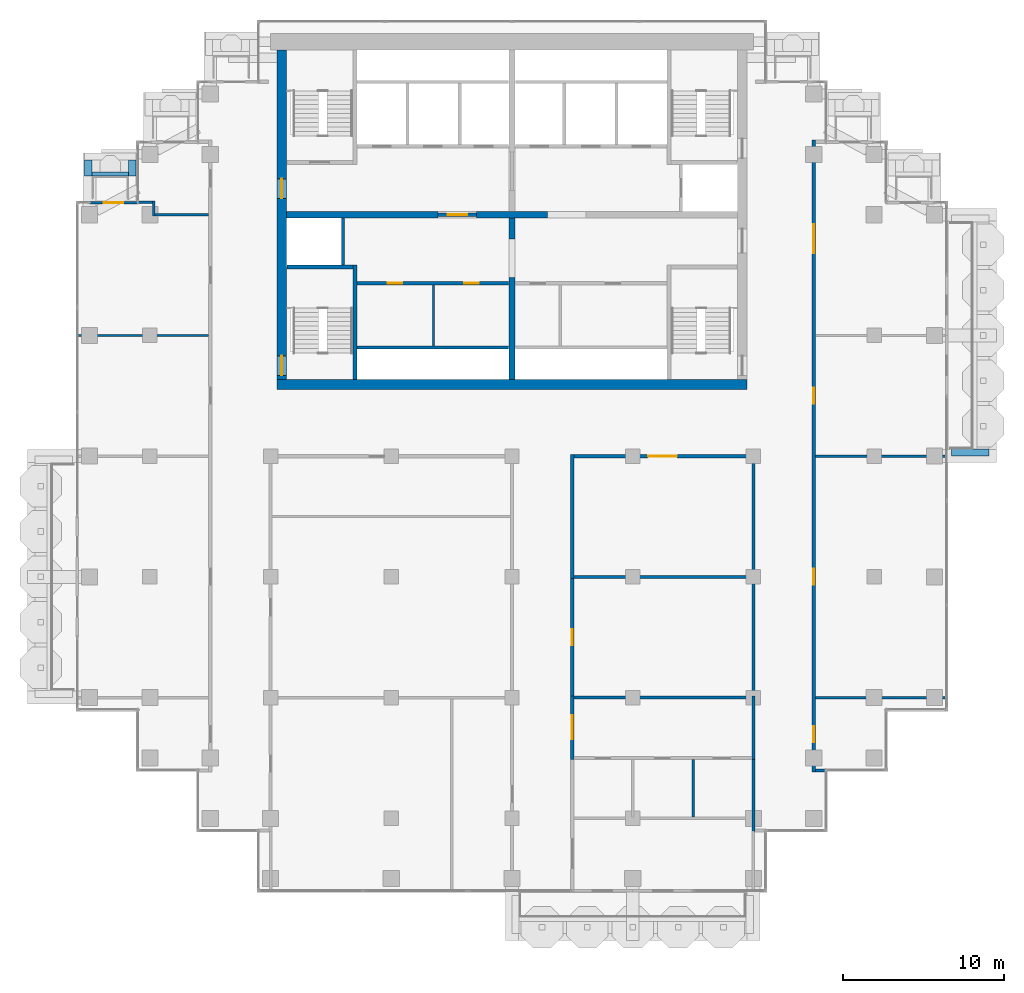
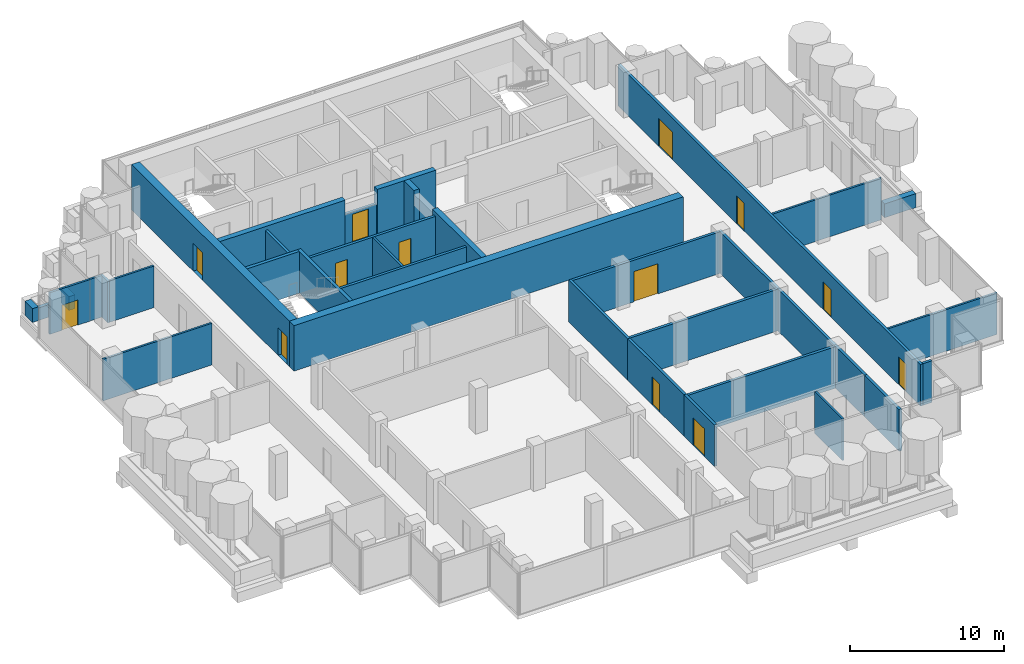
# One storey, part 12 of 18: 37 walls, 13 doors, 13 openings.
"""IFC4 building model written with IfcOpenShell, lengths in metres."""

import ifcopenshell
import ifcopenshell.guid

model = None  # the IFC model being written
_history = None  # IfcOwnerHistory: only IFC2X3 demands one
_inside = {}  # id of a spatial element -> (the spatial element, [elements in it])
_under = {}  # id of a project, library or spatial element -> (it, [spatial elements below it])
_declared = {}  # id of a project -> (the project, [libraries it declares])
_typed = {}  # id of a type object -> (the type object, [elements of that type])
_made_of = {}  # id of a material, layer set ... -> (it, [elements and type objects made of it])


def new_model(schema):
    """Start an empty IFC model of exactly this schema.

    Asked for "IFC4X3", IfcOpenShell would pick the latest addendum, in which some entities
    have other attributes; the version numbers below select the first issue.
    IFC2X3 requires an IfcOwnerHistory on every rooted entity: one is made here for all.
    """
    global model, _history
    if schema == "IFC4X3":
        model = ifcopenshell.file(schema_version=(4, 3, 0, 0))
    else:
        model = ifcopenshell.file(schema=schema)
    _inside.clear()
    _under.clear()
    _declared.clear()
    _typed.clear()
    _made_of.clear()
    _history = None
    if model.schema == "IFC2X3":
        org = make("IfcOrganization", Name="unknown")
        user = make(
            "IfcPersonAndOrganization",
            ThePerson=make("IfcPerson", FamilyName="unknown"),
            TheOrganization=org,
        )
        app = make(
            "IfcApplication",
            ApplicationDeveloper=org,
            Version="unknown",
            ApplicationFullName="unknown",
            ApplicationIdentifier="unknown",
        )
        _history = make(
            "IfcOwnerHistory",
            OwningUser=user,
            OwningApplication=app,
            ChangeAction="ADDED",
            CreationDate=0,
        )
    return model


def make(cls, **values):
    """One entity of the class cls with the attributes given. An attribute that is None is left unset."""
    return model.create_entity(
        cls, **{name: value for name, value in values.items() if value is not None}
    )


def rooted(cls, **values):
    """An entity with a GlobalId (a new one), such as an element, a storey or a relation."""
    return make(cls, GlobalId=ifcopenshell.guid.new(), OwnerHistory=_history, **values)


def si_unit(unit_type, name, prefix=None):
    """IfcSIUnit, for example si_unit("LENGTHUNIT", "METRE", prefix="MILLI")."""
    return make("IfcSIUnit", UnitType=unit_type, Prefix=prefix, Name=name)


def assignment(units):
    """IfcUnitAssignment: the units of a project."""
    return None if units is None else make("IfcUnitAssignment", Units=units)


def point(xyz):
    """IfcCartesianPoint."""
    return None if xyz is None else make("IfcCartesianPoint", Coordinates=xyz)


def direction(xyz):
    """IfcDirection."""
    return None if xyz is None else make("IfcDirection", DirectionRatios=xyz)


def frame(location, z_axis=None, x_axis=None):
    """IfcAxis2Placement3D, a coordinate frame: its origin and axes. An axis left out is left unset."""
    return make(
        "IfcAxis2Placement3D",
        Location=point(location),
        Axis=direction(z_axis),
        RefDirection=direction(x_axis),
    )


def frame_2d(location, x_axis=None):
    """IfcAxis2Placement2D, a coordinate frame in the plane: its origin and x axis."""
    return make(
        "IfcAxis2Placement2D", Location=point(location), RefDirection=direction(x_axis)
    )


def origin():
    """The frame at (0, 0, 0) with its axes left unset."""
    return frame((0.0, 0.0, 0.0))


def place(relative_to, where):
    """IfcLocalPlacement: puts the frame where relative to a parent placement (None: the world)."""
    return make(
        "IfcLocalPlacement", PlacementRelTo=relative_to, RelativePlacement=where
    )


def context(
    kind, dimensions, precision=None, world=None, true_north=None, identifier=None
):
    """IfcGeometricRepresentationContext, for example the 3D "Model" context."""
    return make(
        "IfcGeometricRepresentationContext",
        ContextIdentifier=identifier,
        ContextType=kind,
        CoordinateSpaceDimension=dimensions,
        Precision=precision,
        WorldCoordinateSystem=world,
        TrueNorth=true_north,
    )


def subcontext(parent, identifier, kind, view, scale=None):
    """IfcGeometricRepresentationSubContext, for example "Body" below "Model"."""
    return make(
        "IfcGeometricRepresentationSubContext",
        ContextIdentifier=identifier,
        ContextType=kind,
        ParentContext=parent,
        TargetScale=scale,
        TargetView=view,
    )


def project(units=None, contexts=None):
    """IfcProject with its units and contexts."""
    return rooted(
        "IfcProject",
        Name="project",
        RepresentationContexts=contexts,
        UnitsInContext=assignment(units),
    )


def spatial(cls, under=None, at=None, **own):
    """A site, building, storey or space (cls), placed at a placement, below another one or the project."""
    s = rooted(cls, ObjectPlacement=at, **own)
    if under is not None:
        _under.setdefault(under.id(), (under, []))[1].append(s)
    return s


def profile(cls, at=None, kind="AREA", **sizes):
    """A parametric profile (cls). Its sizes go by their IFC names, for example OverallWidth=200.0."""
    return make(cls, ProfileType=kind, Position=at, **sizes)


def rectangle(**sizes):
    """IfcRectangleProfileDef."""
    return profile("IfcRectangleProfileDef", **sizes)


def extrude(swept, where, along, depth):
    """IfcExtrudedAreaSolid: the profile swept, set in the frame where, extruded along a direction by depth."""
    return make(
        "IfcExtrudedAreaSolid",
        SweptArea=swept,
        Position=where,
        ExtrudedDirection=direction(along),
        Depth=depth,
    )


def shape(context_of_items, identifier, shape_type, items):
    """IfcShapeRepresentation: the items that make up one representation, for example the "Body"."""
    return make(
        "IfcShapeRepresentation",
        ContextOfItems=context_of_items,
        RepresentationIdentifier=identifier,
        RepresentationType=shape_type,
        Items=items,
    )


def material(Name=None, Category=None):
    """IfcMaterial."""
    return make("IfcMaterial", Name=Name, Category=Category)


def layer(
    of_material, thickness, ventilated=None, Name=None, Category=None, Priority=None
):
    """IfcMaterialLayer: one layer of a wall or slab, of a material (None: an air gap)."""
    return make(
        "IfcMaterialLayer",
        Material=of_material,
        LayerThickness=thickness,
        IsVentilated=ventilated,
        Name=Name,
        Category=Category,
        Priority=Priority,
    )


def layer_set(layers, Name=None):
    """IfcMaterialLayerSet."""
    return make("IfcMaterialLayerSet", MaterialLayers=layers, LayerSetName=Name)


def made_of(thing, what):
    """Note that an element or type object is made of a material, layer set ...; save() writes the relation."""
    if what is not None:
        _made_of.setdefault(what.id(), (what, []))[1].append(thing)
    return thing


def type_object(cls, material=None, **own):
    """A type object (cls), such as IfcWallType, which elements share."""
    return made_of(rooted(cls, **own), material)


def element(
    cls,
    number,
    at=None,
    inside=None,
    cuts=None,
    type_object=None,
    material=None,
    context=None,
    identifier="Body",
    shape_type=None,
    held_by="IfcProductDefinitionShape",
    body=None,
    shapes=None,
    **own,
):
    """One element of the class cls, such as IfcWall. Its Tag is "e" and its number.

    at: its placement. inside: the storey or other place that contains it. cuts: it is an
    opening in that element (IfcRelVoidsElement). A single representation is given by context,
    identifier, shape_type and body (its items); several are given by shapes. held_by: the class
    of the entity that holds the representations. save() writes the other relations.
    """
    e = rooted(cls, Tag="e%d" % number, ObjectPlacement=at, **own)
    if body is not None:
        shapes = [shape(context, identifier, shape_type, body)]
    if shapes is not None:
        e.Representation = make(held_by, Representations=shapes)
    if inside is not None:
        _inside.setdefault(inside.id(), (inside, []))[1].append(e)
    if cuts is not None:
        rooted(
            "IfcRelVoidsElement", RelatingBuildingElement=cuts, RelatedOpeningElement=e
        )
    if type_object is not None:
        _typed.setdefault(type_object.id(), (type_object, []))[1].append(e)
    return made_of(e, material)


def fill(opening, filler):
    """IfcRelFillsElement: the door or window that sits in an opening."""
    return rooted(
        "IfcRelFillsElement",
        RelatingOpeningElement=opening,
        RelatedBuildingElement=filler,
    )


def aggregate(whole, parts):
    """IfcRelAggregates: a whole, such as a stair, and the parts it consists of."""
    return rooted("IfcRelAggregates", RelatingObject=whole, RelatedObjects=parts)


def save(model, path):
    """Write the relations noted so far, then the file.

    IfcRelAggregates (storeys below a building ...), IfcRelContainedInSpatialStructure (elements
    in a storey), IfcRelDefinesByType, IfcRelAssociatesMaterial and IfcRelDeclares: one each for
    every whole, place, type object, material and project.
    """
    for whole, parts in _under.values():
        aggregate(whole, parts)
    for where, things in _inside.values():
        rooted(
            "IfcRelContainedInSpatialStructure",
            RelatedElements=things,
            RelatingStructure=where,
        )
    for kind, things in _typed.values():
        rooted("IfcRelDefinesByType", RelatedObjects=things, RelatingType=kind)
    for what, things in _made_of.values():
        rooted("IfcRelAssociatesMaterial", RelatedObjects=things, RelatingMaterial=what)
    for by, libraries in _declared.values():
        rooted("IfcRelDeclares", RelatingContext=by, RelatedDefinitions=libraries)
    model.write(path)


model = new_model("IFC4")

# Units and contexts
model_context = context("Model", 3, precision=1e-05, world=origin(), true_north=direction((0.0, 1.0)))
body_context = subcontext(model_context, "Body", "Model", "MODEL_VIEW")
ifc_project = project(units=[si_unit("LENGTHUNIT", "METRE"), si_unit("AREAUNIT", "SQUARE_METRE"), si_unit("VOLUMEUNIT", "CUBIC_METRE"), si_unit("PLANEANGLEUNIT", "RADIAN"), si_unit("MASSUNIT", "GRAM", prefix="KILO")], contexts=[model_context])

# Site, building, storey
site_placement = place(None, origin())
site = spatial("IfcSite", under=ifc_project, at=site_placement, CompositionType="ELEMENT")
building_placement = place(site_placement, origin())
building = spatial("IfcBuilding", under=site, at=building_placement, Name="Pilkhan Gate Tower", CompositionType="ELEMENT")
storey_placement = place(building_placement, frame((0.0, 0.0, 195.89990234375)))
storey = spatial("IfcBuildingStorey", under=building, at=storey_placement, Name="L50", CompositionType="ELEMENT", Elevation=195.89990234375)

# Walls
ifc_material_1 = material(Name="Concrete C40/50", Category="concrete")
ifc_layer_1 = layer(ifc_material_1, 0.25)
ifc_layer_set_1 = layer_set([ifc_layer_1], Name="Balcony planter BP250")
wall_type_1 = type_object("IfcWallType", Name="Balcony planter BP250", PredefinedType="USERDEFINED", material=ifc_layer_set_1)
wall_1_placement = place(storey_placement, frame((48.89990234375, 85.02490234375, 0.0), z_axis=(0.0, 0.0, 1.0), x_axis=(1.0, 0.0, 0.0)))
element("IfcWall", 1, at=wall_1_placement, inside=storey, type_object=wall_type_1, Name="Balcony planter L50 N", ObjectType="BALCONY PLANTER", PredefinedType="USERDEFINED", context=body_context, shape_type="SweptSolid", body=[
    extrude(rectangle(XDim=2.280029296875, YDim=0.25, at=frame_2d((1.14013671875, 0.0))), origin(), (0.0, 0.0, 1.0), 1.0),
])
ifc_material_2 = material(Name="Board-marked Concrete C40/50", Category="concrete")
ifc_layer_2 = layer(ifc_material_2, 0.449951171875)
ifc_layer_set_2 = layer_set([ifc_layer_2], Name="Balcony planter lip BL450")
wall_type_2 = type_object("IfcWallType", Name="Balcony planter lip BL450", PredefinedType="USERDEFINED", material=ifc_layer_set_2)
wall_2_placement = place(storey_placement, frame((102.300048828125, 67.72509765625, 0.0), z_axis=(0.0, 0.0, 1.0), x_axis=(1.0, 0.0, 0.0)))
element("IfcWall", 2, at=wall_2_placement, inside=storey, type_object=wall_type_2, Name="Balcony planter L50 E", ObjectType="BALCONY PLANTER", PredefinedType="USERDEFINED", context=body_context, shape_type="SweptSolid", body=[
    extrude(rectangle(XDim=2.349853515625, YDim=0.449951171875, at=frame_2d((1.1748046875, 0.0))), origin(), (0.0, 0.0, 1.0), 1.10009765625),
])
for number, where, z_axis, x_axis, name in (
    (3, (48.675048828125, 84.89990234375, 0.0), (0.0, 0.0, 1.0), (0.0, 1.0, 0.0), "Balcony planter L50 N"),
    (4, (51.405029296875, 84.89990234375, 0.0), (0.0, 0.0, 1.0), (0.0, 1.0, 0.0), "Balcony planter L50 N"),
):
    element("IfcWall", number, at=place(storey_placement, frame(where, z_axis=z_axis, x_axis=x_axis)), inside=storey, type_object=wall_type_2, Name=name, ObjectType="BALCONY PLANTER", PredefinedType="USERDEFINED", context=body_context, shape_type="SweptSolid", body=[
        extrude(rectangle(XDim=1.0, YDim=0.449951171875, at=frame_2d((0.5, 0.0))), origin(), (0.0, 0.0, 1.0), 1.10009765625),
    ])
ifc_material_3 = material(Name="Concrete C50/60", Category="concrete")
ifc_layer_3 = layer(ifc_material_3, 0.60009765625)
ifc_layer_set_3 = layer_set([ifc_layer_3], Name="Core wall CW600 C50/60")
wall_type_3 = type_object("IfcWallType", Name="Core wall CW600 C50/60", PredefinedType="SHEAR", material=ifc_layer_set_3)
wall_3_placement = place(storey_placement, frame((60.39990234375, 71.949951171875, 0.0), z_axis=(0.0, 0.0, 1.0), x_axis=(1.0, 0.0, 0.0)))
element("IfcWall", 5, at=wall_3_placement, inside=storey, type_object=wall_type_3, Name="Core wall S L50", PredefinedType="SHEAR", context=body_context, shape_type="SweptSolid", body=[
    extrude(rectangle(XDim=29.2001953125, YDim=0.60009765625, at=frame_2d((14.60009765625, 0.0))), origin(), (0.0, 0.0, 1.0), 3.60009765625),
])

# Wall, openings, doors
wall_4_placement = place(storey_placement, frame((60.699951171875, 92.75, 0.0), z_axis=(0.0, 0.0, 1.0), x_axis=(0.0, -1.0, 0.0)))
wall_4 = element("IfcWall", 6, at=wall_4_placement, inside=storey, type_object=wall_type_3, Name="Core wall W L50", PredefinedType="SHEAR", context=body_context, shape_type="SweptSolid", body=[
    extrude(rectangle(XDim=20.5, YDim=0.60009765625, at=frame_2d((10.25, 0.0))), origin(), (0.0, 0.0, 1.0), 3.60009765625),
])
opening_1_placement = place(wall_4_placement, frame((19.02490234375, 0.0, 0.0)))
opening_1 = element("IfcOpeningElement", 7, at=opening_1_placement, cuts=wall_4, Name="Opening L50-04", PredefinedType="OPENING", context=body_context, shape_type="SweptSolid", body=[
    extrude(rectangle(XDim=1.199951171875, YDim=2.199951171875, at=frame_2d((0.60009765625, 1.10009765625))), frame((0.0, 0.31005859375, 0.0), z_axis=(0.0, -1.0, 0.0), x_axis=(1.0, 0.0, 0.0)), (0.0, 0.0, 1.0), 0.6201171875),
])
opening_2_placement = place(wall_4_placement, frame((8.02490234375, 0.0, 0.0)))
opening_2 = element("IfcOpeningElement", 8, at=opening_2_placement, cuts=wall_4, Name="Opening L50-07", PredefinedType="OPENING", context=body_context, shape_type="SweptSolid", body=[
    extrude(rectangle(XDim=1.199951171875, YDim=2.199951171875, at=frame_2d((0.60009765625, 1.10009765625))), frame((0.0, 0.31005859375, 0.0), z_axis=(0.0, -1.0, 0.0), x_axis=(1.0, 0.0, 0.0)), (0.0, 0.0, 1.0), 0.6201171875),
])
ifc_material_4 = material(Name="Steel door, 120 minute fire resisting, self-closing", Category="steel")
door_type_1 = type_object("IfcDoorType", Name="Firefighting lobby door D10 1200x2200", OperationType="SINGLE_SWING_LEFT", PredefinedType="DOOR", material=ifc_material_4)
door_1_placement = place(opening_2_placement, origin())
door_1 = element("IfcDoor", 9, at=door_1_placement, inside=storey, type_object=door_type_1, Name="Core door", OperationType="SINGLE_SWING_LEFT", OverallHeight=2.199951171875, OverallWidth=1.199951171875, PredefinedType="DOOR", context=body_context, shape_type="SweptSolid", body=[
    extrude(rectangle(XDim=1.199951171875, YDim=2.199951171875, at=frame_2d((0.60009765625, 1.10009765625))), frame((0.0, 0.02490234375, 0.0), z_axis=(0.0, -1.0, 0.0), x_axis=(1.0, 0.0, 0.0)), (0.0, 0.0, 1.0), 0.050048828125),
])
fill(opening_2, door_1)
ifc_material_5 = material(Name="Steel door, 120 minute fire resisting, panic bar", Category="steel")
door_type_2 = type_object("IfcDoorType", Name="Stair door D11 1200x2200", OperationType="SINGLE_SWING_LEFT", PredefinedType="DOOR", material=ifc_material_5)
door_2_placement = place(opening_1_placement, origin())
door_2 = element("IfcDoor", 10, at=door_2_placement, inside=storey, type_object=door_type_2, Name="Stair ST2 door", OperationType="SINGLE_SWING_RIGHT", OverallHeight=2.199951171875, OverallWidth=1.199951171875, PredefinedType="DOOR", context=body_context, shape_type="SweptSolid", body=[
    extrude(rectangle(XDim=1.199951171875, YDim=2.199951171875, at=frame_2d((0.60009765625, 1.10009765625))), frame((0.0, 0.02490234375, 0.0), z_axis=(0.0, -1.0, 0.0), x_axis=(1.0, 0.0, 0.0)), (0.0, 0.0, 1.0), 0.050048828125),
])
fill(opening_1, door_2)

# Wall
ifc_material_6 = material(Name="Dense blockwork", Category="masonry")
ifc_layer_4 = layer(ifc_material_6, 0.199951171875)
ifc_layer_set_4 = layer_set([ifc_layer_4], Name="Corridor wall FW200")
wall_type_4 = type_object("IfcWallType", Name="Corridor wall FW200", PredefinedType="PARTITIONING", material=ifc_layer_set_4)
wall_5_placement = place(storey_placement, frame((93.85009765625, 47.969970703125, 0.0), z_axis=(0.0, 0.0, 1.0), x_axis=(1.0, 0.0, 0.0)))
element("IfcWall", 11, at=wall_5_placement, inside=storey, type_object=wall_type_4, Name="Partition L50", PredefinedType="PARTITIONING", context=body_context, shape_type="SweptSolid", body=[
    extrude(rectangle(XDim=0.664794921875, YDim=0.199951171875, at=frame_2d((0.33251953125, 0.0))), origin(), (0.0, 0.0, 1.0), 3.300048828125),
])

# Wall, opening, door
wall_6_placement = place(storey_placement, frame((78.75, 52.5, 0.0), z_axis=(0.0, 0.0, 1.0), x_axis=(0.0, 1.0, 0.0)))
wall_6 = element("IfcWall", 12, at=wall_6_placement, inside=storey, type_object=wall_type_4, Name="Partition L50", PredefinedType="PARTITIONING", context=body_context, shape_type="SweptSolid", body=[
    extrude(rectangle(XDim=7.5, YDim=0.199951171875, at=frame_2d((3.75, 0.0))), origin(), (0.0, 0.0, 1.0), 3.300048828125),
])
opening_3_placement = place(wall_6_placement, frame((3.25, 0.0, 0.0)))
opening_3 = element("IfcOpeningElement", 13, at=opening_3_placement, cuts=wall_6, Name="Opening L50-21", PredefinedType="OPENING", context=body_context, shape_type="SweptSolid", body=[
    extrude(rectangle(XDim=1.0, YDim=2.199951171875, at=frame_2d((0.5, 1.10009765625))), frame((0.0, 0.10986328125, 0.0), z_axis=(0.0, -1.0, 0.0), x_axis=(1.0, 0.0, 0.0)), (0.0, 0.0, 1.0), 0.219970703125),
])
ifc_material_7 = material(Name="Timber flush door, 30 minute fire resisting", Category="wood")
door_type_3 = type_object("IfcDoorType", Name="Room door D03 1000x2200", OperationType="SINGLE_SWING_LEFT", PredefinedType="DOOR", material=ifc_material_7)
door_3_placement = place(opening_3_placement, origin())
door_3 = element("IfcDoor", 14, at=door_3_placement, inside=storey, type_object=door_type_3, Name="Room door", OperationType="SINGLE_SWING_LEFT", OverallHeight=2.199951171875, OverallWidth=1.0, PredefinedType="DOOR", context=body_context, shape_type="SweptSolid", body=[
    extrude(rectangle(XDim=1.0, YDim=2.199951171875, at=frame_2d((0.5, 1.10009765625))), frame((0.0, 0.02490234375, 0.0), z_axis=(0.0, -1.0, 0.0), x_axis=(1.0, 0.0, 0.0)), (0.0, 0.0, 1.0), 0.050048828125),
])
fill(opening_3, door_3)

# Walls
wall_7_placement = place(storey_placement, frame((90.0, 44.135009765625, 0.0), z_axis=(0.0, 0.0, 1.0), x_axis=(0.0, 1.0, 0.0)))
element("IfcWall", 15, at=wall_7_placement, inside=storey, type_object=wall_type_4, Name="Partition L50", PredefinedType="PARTITIONING", context=body_context, shape_type="SweptSolid", body=[
    extrude(rectangle(XDim=4.614990234375, YDim=0.199951171875, at=frame_2d((2.3076171875, 0.0))), origin(), (0.0, 0.0, 1.0), 3.300048828125),
])
wall_8_placement = place(storey_placement, frame((90.0, 52.5, 0.0), z_axis=(0.0, 0.0, 1.0), x_axis=(0.0, 1.0, 0.0)))
element("IfcWall", 16, at=wall_8_placement, inside=storey, type_object=wall_type_4, Name="Partition L50", PredefinedType="PARTITIONING", context=body_context, shape_type="SweptSolid", body=[
    extrude(rectangle(XDim=7.5, YDim=0.199951171875, at=frame_2d((3.75, 0.0))), origin(), (0.0, 0.0, 1.0), 3.300048828125),
])

# Wall, openings, doors
wall_9_placement = place(storey_placement, frame((93.75, 47.8701171875, 0.0), z_axis=(0.0, 0.0, 1.0), x_axis=(0.0, 1.0, 0.0)))
wall_9 = element("IfcWall", 17, at=wall_9_placement, inside=storey, type_object=wall_type_4, Name="Partition L50", PredefinedType="PARTITIONING", context=body_context, shape_type="SweptSolid", body=[
    extrude(rectangle(XDim=39.259765625, YDim=0.199951171875, at=frame_2d((19.6298828125, 0.0))), origin(), (0.0, 0.0, 1.0), 3.300048828125),
])
opening_4_placement = place(wall_9_placement, frame((1.85009765625, 0.0, 0.0)))
opening_4 = element("IfcOpeningElement", 18, at=opening_4_placement, cuts=wall_9, Name="Opening L50-26", PredefinedType="OPENING", context=body_context, shape_type="SweptSolid", body=[
    extrude(rectangle(XDim=1.0, YDim=2.199951171875, at=frame_2d((0.5, 1.10009765625))), frame((0.0, 0.10986328125, 0.0), z_axis=(0.0, -1.0, 0.0), x_axis=(1.0, 0.0, 0.0)), (0.0, 0.0, 1.0), 0.219970703125),
])
opening_5_placement = place(wall_9_placement, frame((11.6298828125, 0.0, 0.0)))
opening_5 = element("IfcOpeningElement", 19, at=opening_5_placement, cuts=wall_9, Name="Opening L50-27", PredefinedType="OPENING", context=body_context, shape_type="SweptSolid", body=[
    extrude(rectangle(XDim=1.0, YDim=2.199951171875, at=frame_2d((0.5, 1.10009765625))), frame((0.0, 0.10986328125, 0.0), z_axis=(0.0, -1.0, 0.0), x_axis=(1.0, 0.0, 0.0)), (0.0, 0.0, 1.0), 0.219970703125),
])
opening_6_placement = place(wall_9_placement, frame((22.8798828125, 0.0, 0.0)))
opening_6 = element("IfcOpeningElement", 20, at=opening_6_placement, cuts=wall_9, Name="Opening L50-28", PredefinedType="OPENING", context=body_context, shape_type="SweptSolid", body=[
    extrude(rectangle(XDim=1.0, YDim=2.199951171875, at=frame_2d((0.5, 1.10009765625))), frame((0.0, 0.10986328125, 0.0), z_axis=(0.0, -1.0, 0.0), x_axis=(1.0, 0.0, 0.0)), (0.0, 0.0, 1.0), 0.219970703125),
])
opening_7_placement = place(wall_9_placement, frame((32.22998046875, 0.0, 0.0)))
opening_7 = element("IfcOpeningElement", 21, at=opening_7_placement, cuts=wall_9, Name="Opening L50-31", PredefinedType="OPENING", context=body_context, shape_type="SweptSolid", body=[
    extrude(rectangle(XDim=1.800048828125, YDim=2.199951171875, at=frame_2d((0.89990234375, 1.10009765625))), frame((0.0, 0.10986328125, 0.0), z_axis=(0.0, -1.0, 0.0), x_axis=(1.0, 0.0, 0.0)), (0.0, 0.0, 1.0), 0.219970703125),
])
ifc_material_8 = material(Name="Timber glazed double door, 30 minute fire resisting", Category="wood")
door_type_4 = type_object("IfcDoorType", Name="Double door D04 1800x2200", OperationType="DOUBLE_DOOR_SINGLE_SWING", PredefinedType="DOOR", material=ifc_material_8)
door_4_placement = place(opening_7_placement, origin())
door_4 = element("IfcDoor", 22, at=door_4_placement, inside=storey, type_object=door_type_4, Name="Double door", OperationType="DOUBLE_DOOR_SINGLE_SWING", OverallHeight=2.199951171875, OverallWidth=1.800048828125, PredefinedType="DOOR", context=body_context, shape_type="SweptSolid", body=[
    extrude(rectangle(XDim=1.800048828125, YDim=2.199951171875, at=frame_2d((0.89990234375, 1.10009765625))), frame((0.0, 0.02490234375, 0.0), z_axis=(0.0, -1.0, 0.0), x_axis=(1.0, 0.0, 0.0)), (0.0, 0.0, 1.0), 0.050048828125),
])
fill(opening_7, door_4)
door_5_placement = place(opening_4_placement, origin())
door_5 = element("IfcDoor", 23, at=door_5_placement, inside=storey, type_object=door_type_3, Name="Room door", OperationType="SINGLE_SWING_LEFT", OverallHeight=2.199951171875, OverallWidth=1.0, PredefinedType="DOOR", context=body_context, shape_type="SweptSolid", body=[
    extrude(rectangle(XDim=1.0, YDim=2.199951171875, at=frame_2d((0.5, 1.10009765625))), frame((0.0, 0.02490234375, 0.0), z_axis=(0.0, -1.0, 0.0), x_axis=(1.0, 0.0, 0.0)), (0.0, 0.0, 1.0), 0.050048828125),
])
fill(opening_4, door_5)
door_6_placement = place(opening_5_placement, origin())
door_6 = element("IfcDoor", 24, at=door_6_placement, inside=storey, type_object=door_type_3, Name="Room door", OperationType="SINGLE_SWING_LEFT", OverallHeight=2.199951171875, OverallWidth=1.0, PredefinedType="DOOR", context=body_context, shape_type="SweptSolid", body=[
    extrude(rectangle(XDim=1.0, YDim=2.199951171875, at=frame_2d((0.5, 1.10009765625))), frame((0.0, 0.02490234375, 0.0), z_axis=(0.0, -1.0, 0.0), x_axis=(1.0, 0.0, 0.0)), (0.0, 0.0, 1.0), 0.050048828125),
])
fill(opening_5, door_6)
door_7_placement = place(opening_6_placement, origin())
door_7 = element("IfcDoor", 25, at=door_7_placement, inside=storey, type_object=door_type_3, Name="Room door", OperationType="SINGLE_SWING_LEFT", OverallHeight=2.199951171875, OverallWidth=1.0, PredefinedType="DOOR", context=body_context, shape_type="SweptSolid", body=[
    extrude(rectangle(XDim=1.0, YDim=2.199951171875, at=frame_2d((0.5, 1.10009765625))), frame((0.0, 0.02490234375, 0.0), z_axis=(0.0, -1.0, 0.0), x_axis=(1.0, 0.0, 0.0)), (0.0, 0.0, 1.0), 0.050048828125),
])
fill(opening_6, door_7)

# Wall, opening, door
ifc_material_9 = material(Name="Pale anodised aluminium, clear laminated glazing", Category="aluminium")
ifc_layer_5 = layer(ifc_material_9, 0.14990234375)
ifc_layer_set_5 = layer_set([ifc_layer_5], Name="Facade infill wall IW150")
wall_type_5 = type_object("IfcWallType", Name="Facade infill wall IW150", PredefinedType="SOLIDWALL", material=ifc_layer_set_5)
wall_10_placement = place(storey_placement, frame((48.75, 83.25, 0.0), z_axis=(0.0, 0.0, 1.0), x_axis=(1.0, 0.0, 0.0)))
wall_10 = element("IfcWall", 26, at=wall_10_placement, inside=storey, type_object=wall_type_5, Name="Infill wall L50 N", PredefinedType="SOLIDWALL", context=body_context, shape_type="SweptSolid", body=[
    extrude(rectangle(XDim=3.0, YDim=0.14990234375, at=frame_2d((1.5, 0.0))), origin(), (0.0, 0.0, 1.0), 3.300048828125),
])
opening_8_placement = place(wall_10_placement, frame((0.89990234375, 0.0, 0.0)))
opening_8 = element("IfcOpeningElement", 27, at=opening_8_placement, cuts=wall_10, Name="Opening D1L", PredefinedType="OPENING", context=body_context, shape_type="SweptSolid", body=[
    extrude(rectangle(XDim=1.199951171875, YDim=2.0, at=frame_2d((0.60009765625, 1.0))), frame((0.0, 0.0849609375, 0.0), z_axis=(0.0, -1.0, 0.0), x_axis=(1.0, 0.0, 0.0)), (0.0, 0.0, 1.0), 0.169921875),
])
ifc_material_10 = material(Name="Pale anodised aluminium, clear glazing", Category="aluminium")
door_type_5 = type_object("IfcDoorType", Name="Balcony door D1L 1200x2000", OperationType="SINGLE_SWING_LEFT", PredefinedType="DOOR", material=ifc_material_10)
door_8_placement = place(opening_8_placement, origin())
door_8 = element("IfcDoor", 28, at=door_8_placement, inside=storey, type_object=door_type_5, Name="Balcony door L50", OperationType="SINGLE_SWING_LEFT", OverallHeight=2.0, OverallWidth=1.199951171875, PredefinedType="DOOR", context=body_context, shape_type="SweptSolid", body=[
    extrude(rectangle(XDim=1.199951171875, YDim=2.0, at=frame_2d((0.60009765625, 1.0))), frame((0.0, 0.02490234375, 0.0), z_axis=(0.0, -1.0, 0.0), x_axis=(1.0, 0.0, 0.0)), (0.0, 0.0, 1.0), 0.050048828125),
])
fill(opening_8, door_8)

# Walls
ifc_layer_6 = layer(ifc_material_6, 0.199951171875)
ifc_layer_set_6 = layer_set([ifc_layer_6], Name="Lobby wall LW200")
wall_type_6 = type_object("IfcWallType", Name="Lobby wall LW200", PredefinedType="PARTITIONING", material=ifc_layer_set_6)
for number, where, z_axis, x_axis, name in (
    (29, (78.85009765625, 52.5, 0.0), (0.0, 0.0, 1.0), (1.0, 0.0, 0.0), "Partition L50"),
    (30, (78.85009765625, 60.0, 0.0), (0.0, 0.0, 1.0), (1.0, 0.0, 0.0), "Partition L50"),
):
    element("IfcWall", number, at=place(storey_placement, frame(where, z_axis=z_axis, x_axis=x_axis)), inside=storey, type_object=wall_type_6, Name=name, PredefinedType="PARTITIONING", context=body_context, shape_type="SweptSolid", body=[
        extrude(rectangle(XDim=11.0498046875, YDim=0.199951171875, at=frame_2d((5.52490234375, 0.0))), origin(), (0.0, 0.0, 1.0), 3.300048828125),
    ])

# Wall, opening, door
wall_11_placement = place(storey_placement, frame((78.85009765625, 67.5, 0.0), z_axis=(0.0, 0.0, 1.0), x_axis=(1.0, 0.0, 0.0)))
wall_11 = element("IfcWall", 31, at=wall_11_placement, inside=storey, type_object=wall_type_6, Name="Partition L50", PredefinedType="PARTITIONING", context=body_context, shape_type="SweptSolid", body=[
    extrude(rectangle(XDim=11.0498046875, YDim=0.199951171875, at=frame_2d((5.52490234375, 0.0))), origin(), (0.0, 0.0, 1.0), 3.300048828125),
])
opening_9_placement = place(wall_11_placement, frame((4.60009765625, 0.0, 0.0)))
opening_9 = element("IfcOpeningElement", 32, at=opening_9_placement, cuts=wall_11, Name="Opening L50-22", PredefinedType="OPENING", context=body_context, shape_type="SweptSolid", body=[
    extrude(rectangle(XDim=1.800048828125, YDim=2.39990234375, at=frame_2d((0.89990234375, 1.199951171875))), frame((0.0, 0.10986328125, 0.0), z_axis=(0.0, -1.0, 0.0), x_axis=(1.0, 0.0, 0.0)), (0.0, 0.0, 1.0), 0.219970703125),
])
ifc_material_11 = material(Name="Steel door, 120 minute fire resisting", Category="steel")
door_type_6 = type_object("IfcDoorType", Name="Plant room door D08 1800x2400", OperationType="DOUBLE_DOOR_SINGLE_SWING", PredefinedType="DOOR", material=ifc_material_11)
door_9_placement = place(opening_9_placement, origin())
door_9 = element("IfcDoor", 33, at=door_9_placement, inside=storey, type_object=door_type_6, Name="Plant room door", OperationType="DOUBLE_DOOR_SINGLE_SWING", OverallHeight=2.39990234375, OverallWidth=1.800048828125, PredefinedType="DOOR", context=body_context, shape_type="SweptSolid", body=[
    extrude(rectangle(XDim=1.800048828125, YDim=2.39990234375, at=frame_2d((0.89990234375, 1.199951171875))), frame((0.0, 0.02490234375, 0.0), z_axis=(0.0, -1.0, 0.0), x_axis=(1.0, 0.0, 0.0)), (0.0, 0.0, 1.0), 0.050048828125),
])
fill(opening_9, door_9)

# Wall
wall_12_placement = place(storey_placement, frame((65.375, 74.25, 0.0), z_axis=(0.0, 0.0, 1.0), x_axis=(1.0, 0.0, 0.0)))
element("IfcWall", 34, at=wall_12_placement, inside=storey, type_object=wall_type_6, Name="Partition L50", PredefinedType="PARTITIONING", context=body_context, shape_type="SweptSolid", body=[
    extrude(rectangle(XDim=9.4150390625, YDim=0.199951171875, at=frame_2d((4.70751953125, 0.0))), origin(), (0.0, 0.0, 1.0), 3.300048828125),
])

# Wall, openings, doors
wall_13_placement = place(storey_placement, frame((65.375, 78.25, 0.0), z_axis=(0.0, 0.0, 1.0), x_axis=(1.0, 0.0, 0.0)))
wall_13 = element("IfcWall", 35, at=wall_13_placement, inside=storey, type_object=wall_type_6, Name="Partition L50", PredefinedType="PARTITIONING", context=body_context, shape_type="SweptSolid", body=[
    extrude(rectangle(XDim=9.4150390625, YDim=0.199951171875, at=frame_2d((4.70751953125, 0.0))), origin(), (0.0, 0.0, 1.0), 3.300048828125),
])
opening_10_placement = place(wall_13_placement, frame((1.89990234375, 0.0, 0.0)))
opening_10 = element("IfcOpeningElement", 36, at=opening_10_placement, cuts=wall_13, Name="Opening L50-08", PredefinedType="OPENING", context=body_context, shape_type="SweptSolid", body=[
    extrude(rectangle(XDim=0.89990234375, YDim=2.199951171875, at=frame_2d((0.449951171875, 1.10009765625))), frame((0.0, 0.10986328125, 0.0), z_axis=(0.0, -1.0, 0.0), x_axis=(1.0, 0.0, 0.0)), (0.0, 0.0, 1.0), 0.219970703125),
])
opening_11_placement = place(wall_13_placement, frame((6.64990234375, 0.0, 0.0)))
opening_11 = element("IfcOpeningElement", 37, at=opening_11_placement, cuts=wall_13, Name="Opening L50-09", PredefinedType="OPENING", context=body_context, shape_type="SweptSolid", body=[
    extrude(rectangle(XDim=0.89990234375, YDim=2.199951171875, at=frame_2d((0.449951171875, 1.10009765625))), frame((0.0, 0.10986328125, 0.0), z_axis=(0.0, -1.0, 0.0), x_axis=(1.0, 0.0, 0.0)), (0.0, 0.0, 1.0), 0.219970703125),
])
ifc_material_12 = material(Name="Timber flush door, 60 minute fire resisting, self-closing", Category="wood")
door_type_7 = type_object("IfcDoorType", Name="Store door D05 900x2200", OperationType="SINGLE_SWING_LEFT", PredefinedType="DOOR", material=ifc_material_12)
door_10_placement = place(opening_10_placement, origin())
door_10 = element("IfcDoor", 38, at=door_10_placement, inside=storey, type_object=door_type_7, Name="Store door", OperationType="SINGLE_SWING_LEFT", OverallHeight=2.199951171875, OverallWidth=0.89990234375, PredefinedType="DOOR", context=body_context, shape_type="SweptSolid", body=[
    extrude(rectangle(XDim=0.89990234375, YDim=2.199951171875, at=frame_2d((0.449951171875, 1.10009765625))), frame((0.0, 0.02490234375, 0.0), z_axis=(0.0, -1.0, 0.0), x_axis=(1.0, 0.0, 0.0)), (0.0, 0.0, 1.0), 0.050048828125),
])
fill(opening_10, door_10)
door_11_placement = place(opening_11_placement, origin())
door_11 = element("IfcDoor", 39, at=door_11_placement, inside=storey, type_object=door_type_7, Name="Store door", OperationType="SINGLE_SWING_RIGHT", OverallHeight=2.199951171875, OverallWidth=0.89990234375, PredefinedType="DOOR", context=body_context, shape_type="SweptSolid", body=[
    extrude(rectangle(XDim=0.89990234375, YDim=2.199951171875, at=frame_2d((0.449951171875, 1.10009765625))), frame((0.0, 0.02490234375, 0.0), z_axis=(0.0, -1.0, 0.0), x_axis=(1.0, 0.0, 0.0)), (0.0, 0.0, 1.0), 0.050048828125),
])
fill(opening_11, door_11)

# Wall, opening, door
wall_14_placement = place(storey_placement, frame((70.409912109375, 82.5, 0.0), z_axis=(0.0, 0.0, 1.0), x_axis=(1.0, 0.0, 0.0)))
wall_14 = element("IfcWall", 40, at=wall_14_placement, inside=storey, type_object=wall_type_6, Name="Partition L50", PredefinedType="PARTITIONING", context=body_context, shape_type="SweptSolid", body=[
    extrude(rectangle(XDim=2.380126953125, YDim=0.199951171875, at=frame_2d((1.18994140625, 0.0))), origin(), (0.0, 0.0, 1.0), 2.400146484375),
])
opening_12_placement = place(wall_14_placement, frame((0.60009765625, 0.0, 0.0)))
opening_12 = element("IfcOpeningElement", 41, at=opening_12_placement, cuts=wall_14, Name="Opening L50-01", PredefinedType="OPENING", context=body_context, shape_type="SweptSolid", body=[
    extrude(rectangle(XDim=1.199951171875, YDim=2.199951171875, at=frame_2d((0.60009765625, 1.10009765625))), frame((0.0, 0.10986328125, 0.0), z_axis=(0.0, -1.0, 0.0), x_axis=(1.0, 0.0, 0.0)), (0.0, 0.0, 1.0), 0.219970703125),
])
door_12_placement = place(opening_12_placement, origin())
door_12 = element("IfcDoor", 42, at=door_12_placement, inside=storey, type_object=door_type_1, Name="Firefighting lobby door", OperationType="SINGLE_SWING_RIGHT", OverallHeight=2.199951171875, OverallWidth=1.199951171875, PredefinedType="DOOR", context=body_context, shape_type="SweptSolid", body=[
    extrude(rectangle(XDim=1.199951171875, YDim=2.199951171875, at=frame_2d((0.60009765625, 1.10009765625))), frame((0.0, 0.02490234375, 0.0), z_axis=(0.0, -1.0, 0.0), x_axis=(1.0, 0.0, 0.0)), (0.0, 0.0, 1.0), 0.050048828125),
])
fill(opening_12, door_12)

wall_15_placement = place(storey_placement, frame((78.75, 48.64990234375, 0.0), z_axis=(0.0, 0.0, 1.0), x_axis=(0.0, 1.0, 0.0)))
wall_15 = element("IfcWall", 43, at=wall_15_placement, inside=storey, type_object=wall_type_6, Name="Partition L50", PredefinedType="PARTITIONING", context=body_context, shape_type="SweptSolid", body=[
    extrude(rectangle(XDim=3.9501953125, YDim=0.199951171875, at=frame_2d((1.97509765625, 0.0))), origin(), (0.0, 0.0, 1.0), 3.300048828125),
])
opening_13_placement = place(wall_15_placement, frame((1.25, 0.0, 0.0)))
opening_13 = element("IfcOpeningElement", 44, at=opening_13_placement, cuts=wall_15, Name="Opening L50-12", PredefinedType="OPENING", context=body_context, shape_type="SweptSolid", body=[
    extrude(rectangle(XDim=1.5, YDim=2.199951171875, at=frame_2d((0.75, 1.10009765625))), frame((0.0, 0.10986328125, 0.0), z_axis=(0.0, -1.0, 0.0), x_axis=(1.0, 0.0, 0.0)), (0.0, 0.0, 1.0), 0.219970703125),
])
ifc_material_13 = material(Name="Steel framed glazed door, 60 minute fire resisting", Category="steel")
door_type_8 = type_object("IfcDoorType", Name="Lobby door D09 1500x2200", OperationType="DOUBLE_DOOR_SINGLE_SWING", PredefinedType="DOOR", material=ifc_material_13)
door_13_placement = place(opening_13_placement, origin())
door_13 = element("IfcDoor", 45, at=door_13_placement, inside=storey, type_object=door_type_8, Name="Lobby door", OperationType="DOUBLE_DOOR_SINGLE_SWING", OverallHeight=2.199951171875, OverallWidth=1.5, PredefinedType="DOOR", context=body_context, shape_type="SweptSolid", body=[
    extrude(rectangle(XDim=1.5, YDim=2.199951171875, at=frame_2d((0.75, 1.10009765625))), frame((0.0, 0.02490234375, 0.0), z_axis=(0.0, -1.0, 0.0), x_axis=(1.0, 0.0, 0.0)), (0.0, 0.0, 1.0), 0.050048828125),
])
fill(opening_13, door_13)

# Walls
wall_16_placement = place(storey_placement, frame((78.75, 59.89990234375, 0.0), z_axis=(0.0, 0.0, 1.0), x_axis=(0.0, 1.0, 0.0)))
element("IfcWall", 46, at=wall_16_placement, inside=storey, type_object=wall_type_6, Name="Partition L50", PredefinedType="PARTITIONING", context=body_context, shape_type="SweptSolid", body=[
    extrude(rectangle(XDim=7.7001953125, YDim=0.199951171875, at=frame_2d((3.85009765625, 0.0))), origin(), (0.0, 0.0, 1.0), 3.300048828125),
])
wall_17_placement = place(storey_placement, frame((90.0, 48.64990234375, 0.0), z_axis=(0.0, 0.0, 1.0), x_axis=(0.0, 1.0, 0.0)))
element("IfcWall", 47, at=wall_17_placement, inside=storey, type_object=wall_type_6, Name="Partition L50", PredefinedType="PARTITIONING", context=body_context, shape_type="SweptSolid", body=[
    extrude(rectangle(XDim=3.9501953125, YDim=0.199951171875, at=frame_2d((1.97509765625, 0.0))), origin(), (0.0, 0.0, 1.0), 3.300048828125),
])
wall_18_placement = place(storey_placement, frame((90.0, 59.89990234375, 0.0), z_axis=(0.0, 0.0, 1.0), x_axis=(0.0, 1.0, 0.0)))
element("IfcWall", 48, at=wall_18_placement, inside=storey, type_object=wall_type_6, Name="Partition L50", PredefinedType="PARTITIONING", context=body_context, shape_type="SweptSolid", body=[
    extrude(rectangle(XDim=7.7001953125, YDim=0.199951171875, at=frame_2d((3.85009765625, 0.0))), origin(), (0.0, 0.0, 1.0), 3.300048828125),
])
ifc_material_14 = material(Name="Blockwork partition, plastered both sides", Category="masonry")
ifc_layer_7 = layer(ifc_material_14, 0.14990234375)
ifc_layer_set_7 = layer_set([ifc_layer_7], Name="Partition PW150")
wall_type_7 = type_object("IfcWallType", Name="Partition PW150", PredefinedType="PARTITIONING", material=ifc_layer_set_7)
for number, where, z_axis, x_axis, name in (
    (49, (93.85009765625, 52.5, 0.0), (0.0, 0.0, 1.0), (1.0, 0.0, 0.0), "Partition L50"),
    (50, (93.85009765625, 67.5, 0.0), (0.0, 0.0, 1.0), (1.0, 0.0, 0.0), "Partition L50"),
    (51, (47.985107421875, 75.0, 0.0), (0.0, 0.0, 1.0), (1.0, 0.0, 0.0), "Partition L50"),
):
    element("IfcWall", number, at=place(storey_placement, frame(where, z_axis=z_axis, x_axis=x_axis)), inside=storey, type_object=wall_type_7, Name=name, PredefinedType="PARTITIONING", context=body_context, shape_type="SweptSolid", body=[
        extrude(rectangle(XDim=8.164794921875, YDim=0.14990234375, at=frame_2d((4.08251953125, 0.0))), origin(), (0.0, 0.0, 1.0), 3.300048828125),
    ])
wall_19_placement = place(storey_placement, frame((52.81005859375, 82.5, 0.0), z_axis=(0.0, 0.0, 1.0), x_axis=(1.0, 0.0, 0.0)))
element("IfcWall", 52, at=wall_19_placement, inside=storey, type_object=wall_type_7, Name="Partition L50", PredefinedType="PARTITIONING", context=body_context, shape_type="SweptSolid", body=[
    extrude(rectangle(XDim=3.33984375, YDim=0.14990234375, at=frame_2d((1.669921875, 0.0))), origin(), (0.0, 0.0, 1.0), 3.300048828125),
])
wall_20_placement = place(storey_placement, frame((51.760009765625, 83.264892578125, 0.0), z_axis=(0.0, 0.0, 1.0), x_axis=(1.0, 0.0, 0.0)))
element("IfcWall", 53, at=wall_20_placement, inside=storey, type_object=wall_type_7, Name="Partition L50", PredefinedType="PARTITIONING", context=body_context, shape_type="SweptSolid", body=[
    extrude(rectangle(XDim=0.89990234375, YDim=0.14990234375, at=frame_2d((0.449951171875, 0.0))), origin(), (0.0, 0.0, 1.0), 3.300048828125),
])
wall_21_placement = place(storey_placement, frame((52.735107421875, 82.425048828125, 0.0), z_axis=(0.0, 0.0, 1.0), x_axis=(0.0, 1.0, 0.0)))
element("IfcWall", 54, at=wall_21_placement, inside=storey, type_object=wall_type_7, Name="Partition L50", PredefinedType="PARTITIONING", context=body_context, shape_type="SweptSolid", body=[
    extrude(rectangle(XDim=0.9150390625, YDim=0.14990234375, at=frame_2d((0.45751953125, 0.0))), origin(), (0.0, 0.0, 1.0), 3.300048828125),
])
wall_22_placement = place(storey_placement, frame((70.125, 74.35009765625, 0.0), z_axis=(0.0, 0.0, 1.0), x_axis=(0.0, 1.0, 0.0)))
element("IfcWall", 55, at=wall_22_placement, inside=storey, type_object=wall_type_7, Name="Partition L50", PredefinedType="PARTITIONING", context=body_context, shape_type="SweptSolid", body=[
    extrude(rectangle(XDim=3.7998046875, YDim=0.14990234375, at=frame_2d((1.89990234375, 0.0))), origin(), (0.0, 0.0, 1.0), 3.300048828125),
])
wall_23_placement = place(storey_placement, frame((86.25, 45.074951171875, 0.0), z_axis=(0.0, 0.0, 1.0), x_axis=(0.0, 1.0, 0.0)))
element("IfcWall", 56, at=wall_23_placement, inside=storey, type_object=wall_type_7, Name="Partition L50", PredefinedType="PARTITIONING", context=body_context, shape_type="SweptSolid", body=[
    extrude(rectangle(XDim=3.574951171875, YDim=0.14990234375, at=frame_2d((1.78759765625, 0.0))), origin(), (0.0, 0.0, 1.0), 3.300048828125),
])
ifc_material_15 = material(Name="Reinforced blockwork shaft wall, 120 minute fire resisting", Category="masonry")
ifc_layer_8 = layer(ifc_material_15, 0.199951171875)
ifc_layer_set_8 = layer_set([ifc_layer_8], Name="Shaft wall SW200")
wall_type_8 = type_object("IfcWallType", Name="Shaft wall SW200", PredefinedType="PARTITIONING", material=ifc_layer_set_8)
wall_24_placement = place(storey_placement, frame((64.5, 79.375, 0.0), z_axis=(0.0, 0.0, 1.0), x_axis=(0.0, 1.0, 0.0)))
element("IfcWall", 57, at=wall_24_placement, inside=storey, type_object=wall_type_8, Name="Partition L50", PredefinedType="PARTITIONING", context=body_context, shape_type="SweptSolid", body=[
    extrude(rectangle(XDim=2.9150390625, YDim=0.199951171875, at=frame_2d((1.45751953125, 0.0))), origin(), (0.0, 0.0, 1.0), 3.300048828125),
])
ifc_layer_9 = layer(ifc_material_3, 0.39990234375)
ifc_layer_set_9 = layer_set([ifc_layer_9], Name="Spine wall SW400 C50/60")
wall_type_9 = type_object("IfcWallType", Name="Spine wall SW400 C50/60", PredefinedType="SHEAR", material=ifc_layer_set_9)
wall_25_placement = place(storey_placement, frame((61.0, 82.5, 0.0), z_axis=(0.0, 0.0, 1.0), x_axis=(1.0, 0.0, 0.0)))
element("IfcWall", 58, at=wall_25_placement, inside=storey, type_object=wall_type_9, Name="Spine wall SP-EW1 L50", PredefinedType="SHEAR", context=body_context, shape_type="SweptSolid", body=[
    extrude(rectangle(XDim=9.39990234375, YDim=0.39990234375, at=frame_2d((4.699951171875, 0.0))), origin(), (0.0, 0.0, 1.0), 3.60009765625),
])
wall_26_placement = place(storey_placement, frame((72.800048828125, 82.5, 0.0), z_axis=(0.0, 0.0, 1.0), x_axis=(1.0, 0.0, 0.0)))
element("IfcWall", 59, at=wall_26_placement, inside=storey, type_object=wall_type_9, Name="Spine wall SP-EW2 L50", PredefinedType="SHEAR", context=body_context, shape_type="SweptSolid", body=[
    extrude(rectangle(XDim=4.39990234375, YDim=0.39990234375, at=frame_2d((2.199951171875, 0.0))), origin(), (0.0, 0.0, 1.0), 3.60009765625),
])
wall_27_placement = place(storey_placement, frame((75.0, 72.25, 0.0), z_axis=(0.0, 0.0, 1.0), x_axis=(0.0, 1.0, 0.0)))
element("IfcWall", 60, at=wall_27_placement, inside=storey, type_object=wall_type_9, Name="Spine wall SP-NS-S1 L50", PredefinedType="SHEAR", context=body_context, shape_type="SweptSolid", body=[
    extrude(rectangle(XDim=6.35009765625, YDim=0.39990234375, at=frame_2d((3.175048828125, 0.0))), origin(), (0.0, 0.0, 1.0), 3.60009765625),
])
wall_28_placement = place(storey_placement, frame((75.0, 81.0, 0.0), z_axis=(0.0, 0.0, 1.0), x_axis=(0.0, 1.0, 0.0)))
element("IfcWall", 61, at=wall_28_placement, inside=storey, type_object=wall_type_9, Name="Spine wall SP-NS-S2 L50", PredefinedType="SHEAR", context=body_context, shape_type="SweptSolid", body=[
    extrude(rectangle(XDim=1.300048828125, YDim=0.39990234375, at=frame_2d((0.64990234375, 0.0))), origin(), (0.0, 0.0, 1.0), 3.60009765625),
])
ifc_material_16 = material(Name="Reinforced blockwork, 120 minute fire resisting", Category="masonry")
ifc_layer_10 = layer(ifc_material_16, 0.25)
ifc_layer_set_10 = layer_set([ifc_layer_10], Name="Stair enclosure wall SE250")
wall_type_10 = type_object("IfcWallType", Name="Stair enclosure wall SE250", PredefinedType="PARTITIONING", material=ifc_layer_set_10)
wall_29_placement = place(storey_placement, frame((61.010009765625, 79.25, 0.0), z_axis=(0.0, 0.0, 1.0), x_axis=(1.0, 0.0, 0.0)))
element("IfcWall", 62, at=wall_29_placement, inside=storey, type_object=wall_type_10, Name="Partition L50", PredefinedType="PARTITIONING", context=body_context, shape_type="SweptSolid", body=[
    extrude(rectangle(XDim=4.114990234375, YDim=0.25, at=frame_2d((2.0576171875, 0.0))), origin(), (0.0, 0.0, 1.0), 3.300048828125),
])
wall_30_placement = place(storey_placement, frame((65.25, 72.260009765625, 0.0), z_axis=(0.0, 0.0, 1.0), x_axis=(0.0, 1.0, 0.0)))
element("IfcWall", 63, at=wall_30_placement, inside=storey, type_object=wall_type_10, Name="Partition L50", PredefinedType="PARTITIONING", context=body_context, shape_type="SweptSolid", body=[
    extrude(rectangle(XDim=7.114990234375, YDim=0.25, at=frame_2d((3.5576171875, 0.0))), origin(), (0.0, 0.0, 1.0), 3.300048828125),
])

save(model, "model.ifc")
